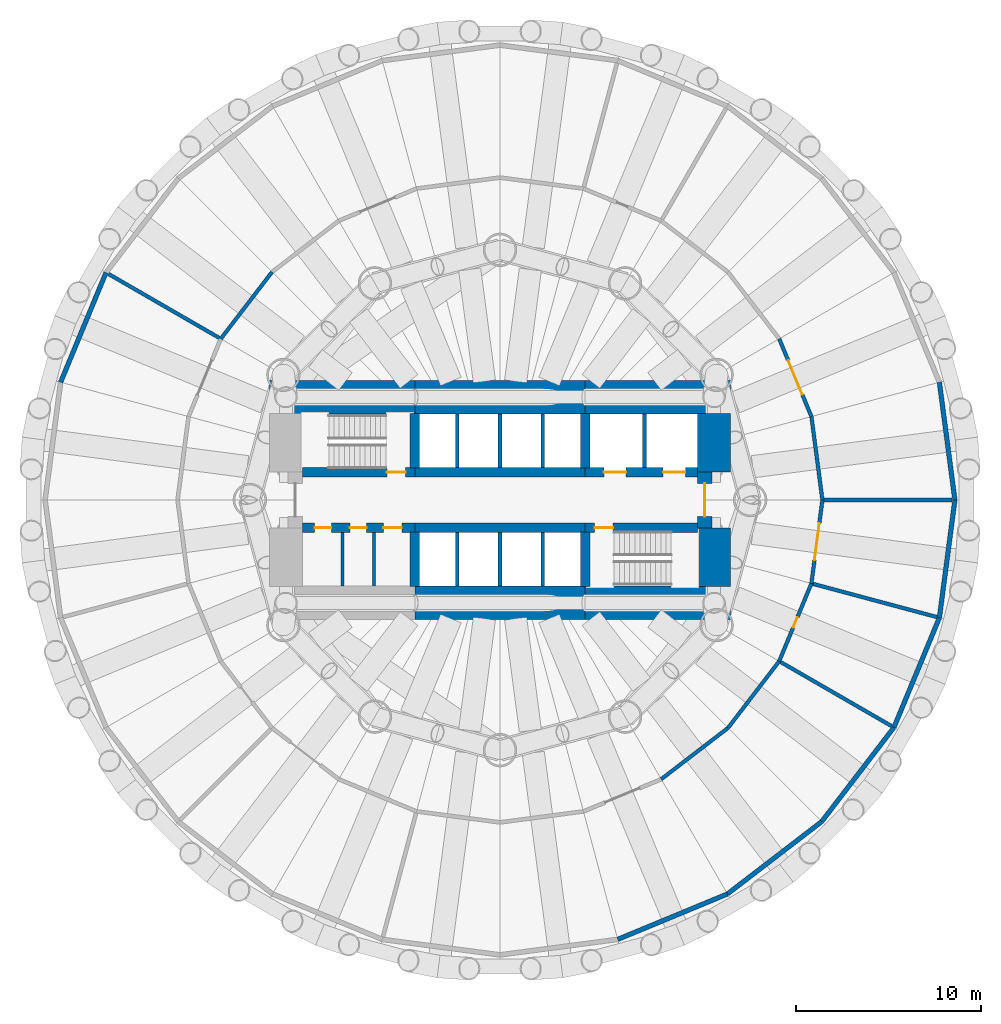
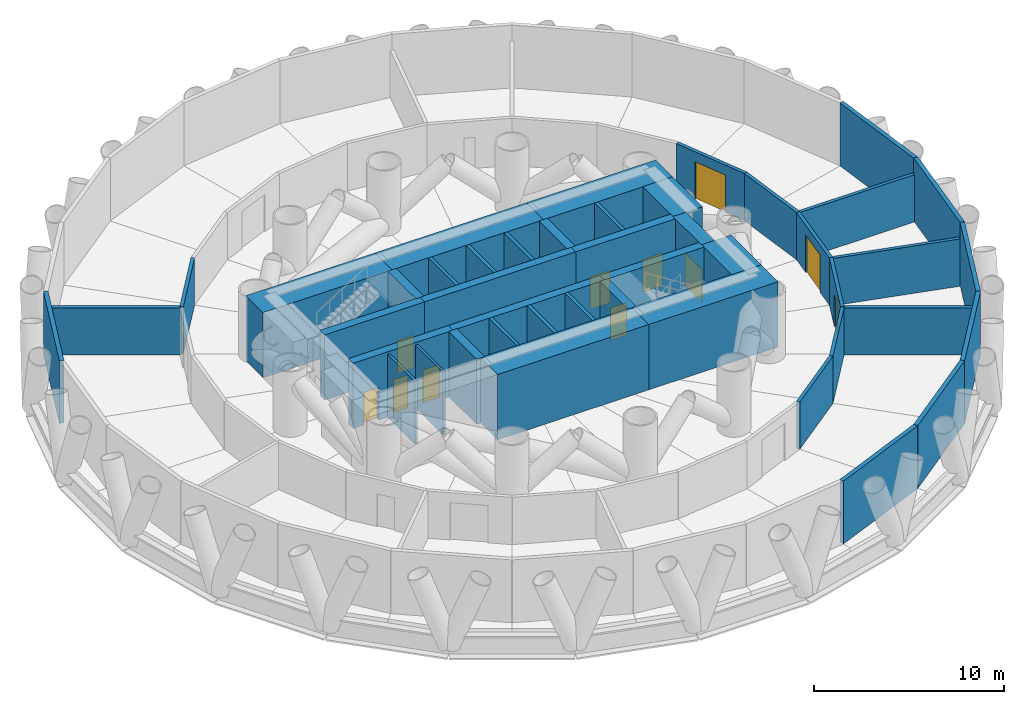
# One storey, part 5 of 7: 45 walls, 11 doors, 11 openings.
"""IFC4 building model written with IfcOpenShell, lengths in metres."""

import ifcopenshell
import ifcopenshell.guid

model = None  # the IFC model being written
_history = None  # IfcOwnerHistory: only IFC2X3 demands one
_inside = {}  # id of a spatial element -> (the spatial element, [elements in it])
_under = {}  # id of a project, library or spatial element -> (it, [spatial elements below it])
_declared = {}  # id of a project -> (the project, [libraries it declares])
_typed = {}  # id of a type object -> (the type object, [elements of that type])
_made_of = {}  # id of a material, layer set ... -> (it, [elements and type objects made of it])


def new_model(schema):
    """Start an empty IFC model of exactly this schema.

    Asked for "IFC4X3", IfcOpenShell would pick the latest addendum, in which some entities
    have other attributes; the version numbers below select the first issue.
    IFC2X3 requires an IfcOwnerHistory on every rooted entity: one is made here for all.
    """
    global model, _history
    if schema == "IFC4X3":
        model = ifcopenshell.file(schema_version=(4, 3, 0, 0))
    else:
        model = ifcopenshell.file(schema=schema)
    _inside.clear()
    _under.clear()
    _declared.clear()
    _typed.clear()
    _made_of.clear()
    _history = None
    if model.schema == "IFC2X3":
        org = make("IfcOrganization", Name="unknown")
        user = make(
            "IfcPersonAndOrganization",
            ThePerson=make("IfcPerson", FamilyName="unknown"),
            TheOrganization=org,
        )
        app = make(
            "IfcApplication",
            ApplicationDeveloper=org,
            Version="unknown",
            ApplicationFullName="unknown",
            ApplicationIdentifier="unknown",
        )
        _history = make(
            "IfcOwnerHistory",
            OwningUser=user,
            OwningApplication=app,
            ChangeAction="ADDED",
            CreationDate=0,
        )
    return model


def make(cls, **values):
    """One entity of the class cls with the attributes given. An attribute that is None is left unset."""
    return model.create_entity(
        cls, **{name: value for name, value in values.items() if value is not None}
    )


def rooted(cls, **values):
    """An entity with a GlobalId (a new one), such as an element, a storey or a relation."""
    return make(cls, GlobalId=ifcopenshell.guid.new(), OwnerHistory=_history, **values)


def si_unit(unit_type, name, prefix=None):
    """IfcSIUnit, for example si_unit("LENGTHUNIT", "METRE", prefix="MILLI")."""
    return make("IfcSIUnit", UnitType=unit_type, Prefix=prefix, Name=name)


def assignment(units):
    """IfcUnitAssignment: the units of a project."""
    return None if units is None else make("IfcUnitAssignment", Units=units)


def point(xyz):
    """IfcCartesianPoint."""
    return None if xyz is None else make("IfcCartesianPoint", Coordinates=xyz)


def direction(xyz):
    """IfcDirection."""
    return None if xyz is None else make("IfcDirection", DirectionRatios=xyz)


def frame(location, z_axis=None, x_axis=None):
    """IfcAxis2Placement3D, a coordinate frame: its origin and axes. An axis left out is left unset."""
    return make(
        "IfcAxis2Placement3D",
        Location=point(location),
        Axis=direction(z_axis),
        RefDirection=direction(x_axis),
    )


def frame_2d(location, x_axis=None):
    """IfcAxis2Placement2D, a coordinate frame in the plane: its origin and x axis."""
    return make(
        "IfcAxis2Placement2D", Location=point(location), RefDirection=direction(x_axis)
    )


def origin():
    """The frame at (0, 0, 0) with its axes left unset."""
    return frame((0.0, 0.0, 0.0))


def place(relative_to, where):
    """IfcLocalPlacement: puts the frame where relative to a parent placement (None: the world)."""
    return make(
        "IfcLocalPlacement", PlacementRelTo=relative_to, RelativePlacement=where
    )


def context(
    kind, dimensions, precision=None, world=None, true_north=None, identifier=None
):
    """IfcGeometricRepresentationContext, for example the 3D "Model" context."""
    return make(
        "IfcGeometricRepresentationContext",
        ContextIdentifier=identifier,
        ContextType=kind,
        CoordinateSpaceDimension=dimensions,
        Precision=precision,
        WorldCoordinateSystem=world,
        TrueNorth=true_north,
    )


def subcontext(parent, identifier, kind, view, scale=None):
    """IfcGeometricRepresentationSubContext, for example "Body" below "Model"."""
    return make(
        "IfcGeometricRepresentationSubContext",
        ContextIdentifier=identifier,
        ContextType=kind,
        ParentContext=parent,
        TargetScale=scale,
        TargetView=view,
    )


def project(units=None, contexts=None):
    """IfcProject with its units and contexts."""
    return rooted(
        "IfcProject",
        Name="project",
        RepresentationContexts=contexts,
        UnitsInContext=assignment(units),
    )


def spatial(cls, under=None, at=None, **own):
    """A site, building, storey or space (cls), placed at a placement, below another one or the project."""
    s = rooted(cls, ObjectPlacement=at, **own)
    if under is not None:
        _under.setdefault(under.id(), (under, []))[1].append(s)
    return s


def profile(cls, at=None, kind="AREA", **sizes):
    """A parametric profile (cls). Its sizes go by their IFC names, for example OverallWidth=200.0."""
    return make(cls, ProfileType=kind, Position=at, **sizes)


def rectangle(**sizes):
    """IfcRectangleProfileDef."""
    return profile("IfcRectangleProfileDef", **sizes)


def extrude(swept, where, along, depth):
    """IfcExtrudedAreaSolid: the profile swept, set in the frame where, extruded along a direction by depth."""
    return make(
        "IfcExtrudedAreaSolid",
        SweptArea=swept,
        Position=where,
        ExtrudedDirection=direction(along),
        Depth=depth,
    )


def shape(context_of_items, identifier, shape_type, items):
    """IfcShapeRepresentation: the items that make up one representation, for example the "Body"."""
    return make(
        "IfcShapeRepresentation",
        ContextOfItems=context_of_items,
        RepresentationIdentifier=identifier,
        RepresentationType=shape_type,
        Items=items,
    )


def material(Name=None, Category=None):
    """IfcMaterial."""
    return make("IfcMaterial", Name=Name, Category=Category)


def layer(
    of_material, thickness, ventilated=None, Name=None, Category=None, Priority=None
):
    """IfcMaterialLayer: one layer of a wall or slab, of a material (None: an air gap)."""
    return make(
        "IfcMaterialLayer",
        Material=of_material,
        LayerThickness=thickness,
        IsVentilated=ventilated,
        Name=Name,
        Category=Category,
        Priority=Priority,
    )


def layer_set(layers, Name=None):
    """IfcMaterialLayerSet."""
    return make("IfcMaterialLayerSet", MaterialLayers=layers, LayerSetName=Name)


def made_of(thing, what):
    """Note that an element or type object is made of a material, layer set ...; save() writes the relation."""
    if what is not None:
        _made_of.setdefault(what.id(), (what, []))[1].append(thing)
    return thing


def type_object(cls, material=None, **own):
    """A type object (cls), such as IfcWallType, which elements share."""
    return made_of(rooted(cls, **own), material)


def element(
    cls,
    number,
    at=None,
    inside=None,
    cuts=None,
    type_object=None,
    material=None,
    context=None,
    identifier="Body",
    shape_type=None,
    held_by="IfcProductDefinitionShape",
    body=None,
    shapes=None,
    **own,
):
    """One element of the class cls, such as IfcWall. Its Tag is "e" and its number.

    at: its placement. inside: the storey or other place that contains it. cuts: it is an
    opening in that element (IfcRelVoidsElement). A single representation is given by context,
    identifier, shape_type and body (its items); several are given by shapes. held_by: the class
    of the entity that holds the representations. save() writes the other relations.
    """
    e = rooted(cls, Tag="e%d" % number, ObjectPlacement=at, **own)
    if body is not None:
        shapes = [shape(context, identifier, shape_type, body)]
    if shapes is not None:
        e.Representation = make(held_by, Representations=shapes)
    if inside is not None:
        _inside.setdefault(inside.id(), (inside, []))[1].append(e)
    if cuts is not None:
        rooted(
            "IfcRelVoidsElement", RelatingBuildingElement=cuts, RelatedOpeningElement=e
        )
    if type_object is not None:
        _typed.setdefault(type_object.id(), (type_object, []))[1].append(e)
    return made_of(e, material)


def fill(opening, filler):
    """IfcRelFillsElement: the door or window that sits in an opening."""
    return rooted(
        "IfcRelFillsElement",
        RelatingOpeningElement=opening,
        RelatedBuildingElement=filler,
    )


def aggregate(whole, parts):
    """IfcRelAggregates: a whole, such as a stair, and the parts it consists of."""
    return rooted("IfcRelAggregates", RelatingObject=whole, RelatedObjects=parts)


def save(model, path):
    """Write the relations noted so far, then the file.

    IfcRelAggregates (storeys below a building ...), IfcRelContainedInSpatialStructure (elements
    in a storey), IfcRelDefinesByType, IfcRelAssociatesMaterial and IfcRelDeclares: one each for
    every whole, place, type object, material and project.
    """
    for whole, parts in _under.values():
        aggregate(whole, parts)
    for where, things in _inside.values():
        rooted(
            "IfcRelContainedInSpatialStructure",
            RelatedElements=things,
            RelatingStructure=where,
        )
    for kind, things in _typed.values():
        rooted("IfcRelDefinesByType", RelatedObjects=things, RelatingType=kind)
    for what, things in _made_of.values():
        rooted("IfcRelAssociatesMaterial", RelatedObjects=things, RelatingMaterial=what)
    for by, libraries in _declared.values():
        rooted("IfcRelDeclares", RelatingContext=by, RelatedDefinitions=libraries)
    model.write(path)


model = new_model("IFC4")

# Units and contexts
model_context = context("Model", 3, precision=1e-05, world=origin(), true_north=direction((0.0, 1.0)))
body_context = subcontext(model_context, "Body", "Model", "MODEL_VIEW")
ifc_project = project(units=[si_unit("LENGTHUNIT", "METRE"), si_unit("AREAUNIT", "SQUARE_METRE"), si_unit("VOLUMEUNIT", "CUBIC_METRE"), si_unit("PLANEANGLEUNIT", "RADIAN"), si_unit("MASSUNIT", "GRAM", prefix="KILO")], contexts=[model_context])

# Site, building, storey
site_placement = place(None, origin())
site = spatial("IfcSite", under=ifc_project, at=site_placement, CompositionType="ELEMENT")
building_placement = place(site_placement, origin())
building = spatial("IfcBuilding", under=site, at=building_placement, Name="Qaws Media Tower", CompositionType="ELEMENT")
storey_placement = place(building_placement, frame((0.0, 0.0, 101.60009765625)))
storey = spatial("IfcBuildingStorey", under=building, at=storey_placement, Name="L22", CompositionType="ELEMENT", Elevation=101.60009765625)

# Wall, opening, door
ifc_material_1 = material(Name="Concrete C60/75", Category="concrete")
ifc_layer_1 = layer(ifc_material_1, 0.5)
ifc_layer_set_1 = layer_set([ifc_layer_1], Name="Core inner wall 500")
wall_type_1 = type_object("IfcWallType", Name="Core inner wall 500", PredefinedType="SHEAR", material=ifc_layer_set_1)
wall_1_placement = place(storey_placement, frame((49.330078125, 51.5, 0.0), z_axis=(0.0, 0.0, 1.0), x_axis=(1.0, 0.0, 0.0)))
wall_1 = element("IfcWall", 1, at=wall_1_placement, inside=storey, type_object=wall_type_1, Name="W339 SW12 core wall SPNW L22", PredefinedType="SHEAR", context=body_context, shape_type="SweptSolid", body=[
    extrude(rectangle(XDim=6.06982421875, YDim=0.5, at=frame_2d((3.034912109375, 0.0))), origin(), (0.0, 0.0, 1.0), 4.199951171875),
])
opening_1_placement = place(wall_1_placement, frame((4.570068359375, 0.0, 0.0)))
opening_1 = element("IfcOpeningElement", 2, at=opening_1_placement, cuts=wall_1, Name="Opening D1", PredefinedType="OPENING", context=body_context, shape_type="SweptSolid", body=[
    extrude(rectangle(XDim=1.0, YDim=2.10009765625, at=frame_2d((0.5, 1.050048828125))), frame((0.0, 0.260009765625, 0.0), z_axis=(0.0, -1.0, 0.0), x_axis=(1.0, 0.0, 0.0)), (0.0, 0.0, 1.0), 0.52001953125),
])
ifc_material_2 = material(Name="Steel, fire rated", Category="steel")
door_type_1 = type_object("IfcDoorType", Name="Stair door 1000 FD120", OperationType="SINGLE_SWING_LEFT", PredefinedType="DOOR", material=ifc_material_2)
door_1_placement = place(opening_1_placement, origin())
door_1 = element("IfcDoor", 3, at=door_1_placement, inside=storey, type_object=door_type_1, Name="D1 stair S1 door L22 in wall W339", OperationType="SINGLE_SWING_LEFT", OverallHeight=2.10009765625, OverallWidth=1.0, PredefinedType="DOOR", context=body_context, shape_type="SweptSolid", body=[
    extrude(rectangle(XDim=1.0, YDim=2.10009765625, at=frame_2d((0.5, 1.050048828125))), frame((0.0, 0.02490234375, 0.0), z_axis=(0.0, -1.0, 0.0), x_axis=(1.0, 0.0, 0.0)), (0.0, 0.0, 1.0), 0.050048828125),
])
fill(opening_1, door_1)

# Wall
wall_2_placement = place(storey_placement, frame((55.39990234375, 51.5, 0.0), z_axis=(0.0, 0.0, 1.0), x_axis=(1.0, 0.0, 0.0)))
element("IfcWall", 4, at=wall_2_placement, inside=storey, type_object=wall_type_1, Name="W332 SW12 core wall SPN L22", PredefinedType="SHEAR", context=body_context, shape_type="SweptSolid", body=[
    extrude(rectangle(XDim=9.2001953125, YDim=0.5, at=frame_2d((4.60009765625, 0.0))), origin(), (0.0, 0.0, 1.0), 4.199951171875),
])

# Wall, openings, doors
wall_3_placement = place(storey_placement, frame((64.60009765625, 51.5, 0.0), z_axis=(0.0, 0.0, 1.0), x_axis=(1.0, 0.0, 0.0)))
wall_3 = element("IfcWall", 5, at=wall_3_placement, inside=storey, type_object=wall_type_1, Name="W344 SW12 core wall SPNE L22", PredefinedType="SHEAR", context=body_context, shape_type="SweptSolid", body=[
    extrude(rectangle(XDim=6.06982421875, YDim=0.5, at=frame_2d((3.034912109375, 0.0))), origin(), (0.0, 0.0, 1.0), 4.199951171875),
])
opening_2_placement = place(wall_3_placement, frame((1.0, 0.0, 0.0)))
opening_2 = element("IfcOpeningElement", 6, at=opening_2_placement, cuts=wall_3, Name="Opening LD2", PredefinedType="OPENING", context=body_context, shape_type="SweptSolid", body=[
    extrude(rectangle(XDim=1.199951171875, YDim=2.10009765625, at=frame_2d((0.60009765625, 1.050048828125))), frame((0.0, 0.260009765625, 0.0), z_axis=(0.0, -1.0, 0.0), x_axis=(1.0, 0.0, 0.0)), (0.0, 0.0, 1.0), 0.52001953125),
])
opening_3_placement = place(wall_3_placement, frame((4.199951171875, 0.0, 0.0)))
opening_3 = element("IfcOpeningElement", 7, at=opening_3_placement, cuts=wall_3, Name="Opening LD2", PredefinedType="OPENING", context=body_context, shape_type="SweptSolid", body=[
    extrude(rectangle(XDim=1.199951171875, YDim=2.10009765625, at=frame_2d((0.60009765625, 1.050048828125))), frame((0.0, 0.260009765625, 0.0), z_axis=(0.0, -1.0, 0.0), x_axis=(1.0, 0.0, 0.0)), (0.0, 0.0, 1.0), 0.52001953125),
])
ifc_material_3 = material(Name="Steel, fire rated", Category="steel")
door_type_2 = type_object("IfcDoorType", Name="Lift landing door 1200", OperationType="SLIDING_TO_LEFT", PredefinedType="DOOR", material=ifc_material_3)
door_2_placement = place(opening_2_placement, origin())
door_2 = element("IfcDoor", 8, at=door_2_placement, inside=storey, type_object=door_type_2, Name="FL1 landing door L22 in wall W344", OperationType="SLIDING_TO_LEFT", OverallHeight=2.10009765625, OverallWidth=1.199951171875, PredefinedType="DOOR", context=body_context, shape_type="SweptSolid", body=[
    extrude(rectangle(XDim=1.199951171875, YDim=2.10009765625, at=frame_2d((0.60009765625, 1.050048828125))), frame((0.0, 0.02490234375, 0.0), z_axis=(0.0, -1.0, 0.0), x_axis=(1.0, 0.0, 0.0)), (0.0, 0.0, 1.0), 0.050048828125),
])
fill(opening_2, door_2)
door_3_placement = place(opening_3_placement, origin())
door_3 = element("IfcDoor", 9, at=door_3_placement, inside=storey, type_object=door_type_2, Name="FL2 landing door L22 in wall W344", OperationType="SLIDING_TO_LEFT", OverallHeight=2.10009765625, OverallWidth=1.199951171875, PredefinedType="DOOR", context=body_context, shape_type="SweptSolid", body=[
    extrude(rectangle(XDim=1.199951171875, YDim=2.10009765625, at=frame_2d((0.60009765625, 1.050048828125))), frame((0.0, 0.02490234375, 0.0), z_axis=(0.0, -1.0, 0.0), x_axis=(1.0, 0.0, 0.0)), (0.0, 0.0, 1.0), 0.050048828125),
])
fill(opening_3, door_3)

wall_4_placement = place(storey_placement, frame((49.330078125, 48.5, 0.0), z_axis=(0.0, 0.0, 1.0), x_axis=(1.0, 0.0, 0.0)))
wall_4 = element("IfcWall", 10, at=wall_4_placement, inside=storey, type_object=wall_type_1, Name="W338 SW12 core wall SPSW L22", PredefinedType="SHEAR", context=body_context, shape_type="SweptSolid", body=[
    extrude(rectangle(XDim=6.06982421875, YDim=0.5, at=frame_2d((3.034912109375, 0.0))), origin(), (0.0, 0.0, 1.0), 4.199951171875),
])
opening_4_placement = place(wall_4_placement, frame((0.669921875, 0.0, 0.0)))
opening_4 = element("IfcOpeningElement", 11, at=opening_4_placement, cuts=wall_4, Name="Opening D3", PredefinedType="OPENING", context=body_context, shape_type="SweptSolid", body=[
    extrude(rectangle(XDim=0.89990234375, YDim=2.10009765625, at=frame_2d((0.449951171875, 1.050048828125))), frame((0.0, 0.260009765625, 0.0), z_axis=(0.0, -1.0, 0.0), x_axis=(1.0, 0.0, 0.0)), (0.0, 0.0, 1.0), 0.52001953125),
])
opening_5_placement = place(wall_4_placement, frame((2.570068359375, 0.0, 0.0)))
opening_5 = element("IfcOpeningElement", 12, at=opening_5_placement, cuts=wall_4, Name="Opening D3", PredefinedType="OPENING", context=body_context, shape_type="SweptSolid", body=[
    extrude(rectangle(XDim=0.89990234375, YDim=2.10009765625, at=frame_2d((0.449951171875, 1.050048828125))), frame((0.0, 0.260009765625, 0.0), z_axis=(0.0, -1.0, 0.0), x_axis=(1.0, 0.0, 0.0)), (0.0, 0.0, 1.0), 0.52001953125),
])
opening_6_placement = place(wall_4_placement, frame((4.3701171875, 0.0, 0.0)))
opening_6 = element("IfcOpeningElement", 13, at=opening_6_placement, cuts=wall_4, Name="Opening D4", PredefinedType="OPENING", context=body_context, shape_type="SweptSolid", body=[
    extrude(rectangle(XDim=1.0, YDim=2.10009765625, at=frame_2d((0.5, 1.050048828125))), frame((0.0, 0.260009765625, 0.0), z_axis=(0.0, -1.0, 0.0), x_axis=(1.0, 0.0, 0.0)), (0.0, 0.0, 1.0), 0.52001953125),
])
ifc_material_4 = material(Name="Timber veneered", Category="wood")
door_type_3 = type_object("IfcDoorType", Name="Accessible WC door 1000", OperationType="SLIDING_TO_LEFT", PredefinedType="DOOR", material=ifc_material_4)
door_4_placement = place(opening_6_placement, origin())
door_4 = element("IfcDoor", 14, at=door_4_placement, inside=storey, type_object=door_type_3, Name="D4 toilet door 3 L22 in wall W338", OperationType="SLIDING_TO_LEFT", OverallHeight=2.10009765625, OverallWidth=1.0, PredefinedType="DOOR", context=body_context, shape_type="SweptSolid", body=[
    extrude(rectangle(XDim=1.0, YDim=2.10009765625, at=frame_2d((0.5, 1.050048828125))), frame((0.0, 0.02490234375, 0.0), z_axis=(0.0, -1.0, 0.0), x_axis=(1.0, 0.0, 0.0)), (0.0, 0.0, 1.0), 0.050048828125),
])
fill(opening_6, door_4)
ifc_material_5 = material(Name="Timber veneered", Category="wood")
door_type_4 = type_object("IfcDoorType", Name="Toilet door 900", OperationType="SINGLE_SWING_RIGHT", PredefinedType="DOOR", material=ifc_material_5)
door_5_placement = place(opening_4_placement, origin())
door_5 = element("IfcDoor", 15, at=door_5_placement, inside=storey, type_object=door_type_4, Name="D3 toilet door 1 L22 in wall W338", OperationType="SINGLE_SWING_RIGHT", OverallHeight=2.10009765625, OverallWidth=0.89990234375, PredefinedType="DOOR", context=body_context, shape_type="SweptSolid", body=[
    extrude(rectangle(XDim=0.89990234375, YDim=2.10009765625, at=frame_2d((0.449951171875, 1.050048828125))), frame((0.0, 0.02490234375, 0.0), z_axis=(0.0, -1.0, 0.0), x_axis=(1.0, 0.0, 0.0)), (0.0, 0.0, 1.0), 0.050048828125),
])
fill(opening_4, door_5)
door_6_placement = place(opening_5_placement, origin())
door_6 = element("IfcDoor", 16, at=door_6_placement, inside=storey, type_object=door_type_4, Name="D3 toilet door 2 L22 in wall W338", OperationType="SINGLE_SWING_RIGHT", OverallHeight=2.10009765625, OverallWidth=0.89990234375, PredefinedType="DOOR", context=body_context, shape_type="SweptSolid", body=[
    extrude(rectangle(XDim=0.89990234375, YDim=2.10009765625, at=frame_2d((0.449951171875, 1.050048828125))), frame((0.0, 0.02490234375, 0.0), z_axis=(0.0, -1.0, 0.0), x_axis=(1.0, 0.0, 0.0)), (0.0, 0.0, 1.0), 0.050048828125),
])
fill(opening_5, door_6)

# Wall
wall_5_placement = place(storey_placement, frame((55.39990234375, 48.5, 0.0), z_axis=(0.0, 0.0, 1.0), x_axis=(1.0, 0.0, 0.0)))
element("IfcWall", 17, at=wall_5_placement, inside=storey, type_object=wall_type_1, Name="W331 SW12 core wall SPS L22", PredefinedType="SHEAR", context=body_context, shape_type="SweptSolid", body=[
    extrude(rectangle(XDim=9.2001953125, YDim=0.5, at=frame_2d((4.60009765625, 0.0))), origin(), (0.0, 0.0, 1.0), 4.199951171875),
])

# Wall, opening, door
wall_6_placement = place(storey_placement, frame((64.60009765625, 48.5, 0.0), z_axis=(0.0, 0.0, 1.0), x_axis=(1.0, 0.0, 0.0)))
wall_6 = element("IfcWall", 18, at=wall_6_placement, inside=storey, type_object=wall_type_1, Name="W343 SW12 core wall SPSE L22", PredefinedType="SHEAR", context=body_context, shape_type="SweptSolid", body=[
    extrude(rectangle(XDim=6.06982421875, YDim=0.5, at=frame_2d((3.034912109375, 0.0))), origin(), (0.0, 0.0, 1.0), 4.199951171875),
])
opening_7_placement = place(wall_6_placement, frame((0.5, 0.0, 0.0)))
opening_7 = element("IfcOpeningElement", 19, at=opening_7_placement, cuts=wall_6, Name="Opening D1", PredefinedType="OPENING", context=body_context, shape_type="SweptSolid", body=[
    extrude(rectangle(XDim=1.0, YDim=2.10009765625, at=frame_2d((0.5, 1.050048828125))), frame((0.0, 0.260009765625, 0.0), z_axis=(0.0, -1.0, 0.0), x_axis=(1.0, 0.0, 0.0)), (0.0, 0.0, 1.0), 0.52001953125),
])
door_7_placement = place(opening_7_placement, origin())
door_7 = element("IfcDoor", 20, at=door_7_placement, inside=storey, type_object=door_type_1, Name="D1 stair S2 door L22 in wall W343", OperationType="SINGLE_SWING_LEFT", OverallHeight=2.10009765625, OverallWidth=1.0, PredefinedType="DOOR", context=body_context, shape_type="SweptSolid", body=[
    extrude(rectangle(XDim=1.0, YDim=2.10009765625, at=frame_2d((0.5, 1.050048828125))), frame((0.0, 0.02490234375, 0.0), z_axis=(0.0, -1.0, 0.0), x_axis=(1.0, 0.0, 0.0)), (0.0, 0.0, 1.0), 0.050048828125),
])
fill(opening_7, door_7)

# Walls
for number, where, z_axis, x_axis, name in (
    (21, (55.39990234375, 51.72998046875, 0.0), (0.0, 0.0, 1.0), (0.0, 1.0, 0.0), "W341 SW12 core wall XNW L22"),
    (22, (64.60009765625, 51.72998046875, 0.0), (0.0, 0.0, 1.0), (0.0, 1.0, 0.0), "W345 SW12 core wall XNE L22"),
    (23, (55.39990234375, 48.27001953125, 0.0), (0.0, 0.0, 1.0), (0.0, -1.0, 0.0), "W340 SW12 core wall XSW L22"),
    (24, (64.60009765625, 48.27001953125, 0.0), (0.0, 0.0, 1.0), (0.0, -1.0, 0.0), "W342 SW12 core wall XSE L22"),
):
    element("IfcWall", number, at=place(storey_placement, frame(where, z_axis=z_axis, x_axis=x_axis)), inside=storey, type_object=wall_type_1, Name=name, PredefinedType="SHEAR", context=body_context, shape_type="SweptSolid", body=[
        extrude(rectangle(XDim=2.93994140625, YDim=0.5, at=frame_2d((1.469970703125, 0.0))), origin(), (0.0, 0.0, 1.0), 4.199951171875),
    ])
ifc_material_6 = material(Name="Concrete C60/75", Category="concrete")
ifc_layer_2 = layer(ifc_material_6, 1.800048828125)
ifc_layer_set_2 = layer_set([ifc_layer_2], Name="Core wall 1800")
wall_type_2 = type_object("IfcWallType", Name="Core wall 1800", PredefinedType="SHEAR", material=ifc_layer_set_2)
wall_7_placement = place(storey_placement, frame((47.550048828125, 55.550048828125, 0.0), z_axis=(0.0, 0.0, 1.0), x_axis=(1.0, 0.0, 0.0)))
element("IfcWall", 25, at=wall_7_placement, inside=storey, type_object=wall_type_2, Name="W417 SW11 core wall NW L22", PredefinedType="SHEAR", context=body_context, shape_type="SweptSolid", body=[
    extrude(rectangle(XDim=7.849853515625, YDim=1.800048828125, at=frame_2d((3.9248046875, 0.0))), origin(), (0.0, 0.0, 1.0), 4.199951171875),
])
wall_8_placement = place(storey_placement, frame((55.39990234375, 55.550048828125, 0.0), z_axis=(0.0, 0.0, 1.0), x_axis=(1.0, 0.0, 0.0)))
element("IfcWall", 26, at=wall_8_placement, inside=storey, type_object=wall_type_2, Name="W421 SW11 core wall N L22", PredefinedType="SHEAR", context=body_context, shape_type="SweptSolid", body=[
    extrude(rectangle(XDim=9.2001953125, YDim=1.800048828125, at=frame_2d((4.60009765625, 0.0))), origin(), (0.0, 0.0, 1.0), 4.199951171875),
])
wall_9_placement = place(storey_placement, frame((64.60009765625, 55.550048828125, 0.0), z_axis=(0.0, 0.0, 1.0), x_axis=(1.0, 0.0, 0.0)))
element("IfcWall", 27, at=wall_9_placement, inside=storey, type_object=wall_type_2, Name="W423 SW11 core wall NE L22", PredefinedType="SHEAR", context=body_context, shape_type="SweptSolid", body=[
    extrude(rectangle(XDim=7.849853515625, YDim=1.800048828125, at=frame_2d((3.9248046875, 0.0))), origin(), (0.0, 0.0, 1.0), 4.199951171875),
])
wall_10_placement = place(storey_placement, frame((55.39990234375, 44.449951171875, 0.0), z_axis=(0.0, 0.0, 1.0), x_axis=(1.0, 0.0, 0.0)))
element("IfcWall", 28, at=wall_10_placement, inside=storey, type_object=wall_type_2, Name="W420 SW11 core wall S L22", PredefinedType="SHEAR", context=body_context, shape_type="SweptSolid", body=[
    extrude(rectangle(XDim=9.2001953125, YDim=1.800048828125, at=frame_2d((4.60009765625, 0.0))), origin(), (0.0, 0.0, 1.0), 4.199951171875),
])
wall_11_placement = place(storey_placement, frame((64.60009765625, 44.449951171875, 0.0), z_axis=(0.0, 0.0, 1.0), x_axis=(1.0, 0.0, 0.0)))
element("IfcWall", 29, at=wall_11_placement, inside=storey, type_object=wall_type_2, Name="W422 SW11 core wall SE L22", PredefinedType="SHEAR", context=body_context, shape_type="SweptSolid", body=[
    extrude(rectangle(XDim=7.849853515625, YDim=1.800048828125, at=frame_2d((3.9248046875, 0.0))), origin(), (0.0, 0.0, 1.0), 4.199951171875),
])
for number, where, z_axis, x_axis, name in (
    (30, (71.550048828125, 45.330078125, 0.0), (0.0, 0.0, 1.0), (0.0, 1.0, 0.0), "W424 SW11 core wall ES L22"),
    (31, (71.550048828125, 51.5, 0.0), (0.0, 0.0, 1.0), (0.0, 1.0, 0.0), "W425 SW11 core wall EN L22"),
):
    element("IfcWall", number, at=place(storey_placement, frame(where, z_axis=z_axis, x_axis=x_axis)), inside=storey, type_object=wall_type_2, Name=name, PredefinedType="SHEAR", context=body_context, shape_type="SweptSolid", body=[
        extrude(rectangle(XDim=3.169921875, YDim=1.800048828125, at=frame_2d((1.5849609375, 0.0))), origin(), (0.0, 0.0, 1.0), 4.199951171875),
    ])

# Wall, opening, door
ifc_material_7 = material(Name="Concrete C60/75", Category="concrete")
ifc_layer_3 = layer(ifc_material_7, 0.800048828125)
ifc_layer_set_3 = layer_set([ifc_layer_3], Name="Core wall 800")
wall_type_3 = type_object("IfcWallType", Name="Core wall 800", PredefinedType="SHEAR", material=ifc_layer_set_3)
wall_12_placement = place(storey_placement, frame((71.050048828125, 48.5, 0.0), z_axis=(0.0, 0.0, 1.0), x_axis=(0.0, 1.0, 0.0)))
wall_12 = element("IfcWall", 32, at=wall_12_placement, inside=storey, type_object=wall_type_3, Name="W439 SW1 core wall E L22", PredefinedType="SHEAR", context=body_context, shape_type="SweptSolid", body=[
    extrude(rectangle(XDim=3.0, YDim=0.800048828125, at=frame_2d((1.5, 0.0))), origin(), (0.0, 0.0, 1.0), 4.199951171875),
])
opening_8_placement = place(wall_12_placement, frame((0.60009765625, 0.0, 0.0)))
opening_8 = element("IfcOpeningElement", 33, at=opening_8_placement, cuts=wall_12, Name="Opening D2", PredefinedType="OPENING", context=body_context, shape_type="SweptSolid", body=[
    extrude(rectangle(XDim=1.800048828125, YDim=2.10009765625, at=frame_2d((0.89990234375, 1.050048828125))), frame((0.0, 0.409912109375, 0.0), z_axis=(0.0, -1.0, 0.0), x_axis=(1.0, 0.0, 0.0)), (0.0, 0.0, 1.0), 0.820068359375),
])
ifc_material_8 = material(Name="Steel and glass, fire rated", Category="steel")
door_type_5 = type_object("IfcDoorType", Name="Lobby door pair 1800 FD60", OperationType="DOUBLE_DOOR_DOUBLE_SWING", PredefinedType="DOOR", material=ifc_material_8)
door_8_placement = place(opening_8_placement, origin())
door_8 = element("IfcDoor", 34, at=door_8_placement, inside=storey, type_object=door_type_5, Name="D2 core lobby door E L22 in wall W439", OperationType="DOUBLE_DOOR_DOUBLE_SWING", OverallHeight=2.10009765625, OverallWidth=1.800048828125, PredefinedType="DOOR", context=body_context, shape_type="SweptSolid", body=[
    extrude(rectangle(XDim=1.800048828125, YDim=2.10009765625, at=frame_2d((0.89990234375, 1.050048828125))), frame((0.0, 0.02490234375, 0.0), z_axis=(0.0, -1.0, 0.0), x_axis=(1.0, 0.0, 0.0)), (0.0, 0.0, 1.0), 0.050048828125),
])
fill(opening_8, door_8)

# Walls
ifc_material_9 = material(Name="Precast concrete louvre panels", Category="concrete")
ifc_layer_4 = layer(ifc_material_9, 0.25)
ifc_layer_set_4 = layer_set([ifc_layer_4], Name="Crown louvre wall 250")
wall_type_4 = type_object("IfcWallType", Name="Crown louvre wall 250", PredefinedType="SOLIDWALL", material=ifc_layer_set_4)
wall_13_placement = place(storey_placement, frame((84.550048828125, 50.0, 0.0), z_axis=(0.0, 0.0, 1.0), x_axis=(-0.130549112351, 0.991441843612, 0.0)))
element("IfcWall", 35, at=wall_13_placement, inside=storey, type_object=wall_type_4, Name="W465 EW3 louvre wall L22-01", PredefinedType="SOLIDWALL", context=body_context, shape_type="SweptSolid", body=[
    extrude(rectangle(XDim=6.408935546875, YDim=0.25, at=frame_2d((3.20458984375, 0.0))), origin(), (0.0, 0.0, 1.0), 4.039794921875),
])
for number, where, z_axis, x_axis, name in (
    (36, (38.739013671875, 62.27490234375, 0.0), (0.0, 0.0, 1.0), (-0.382666936286, -0.923886365238, 0.0), "W446 EW3 louvre wall L22-11"),
    (37, (66.35400390625, 26.28662109375, 0.0), (0.0, 0.0, 1.0), (0.923886365238, 0.382666936286, 0.0), "W455 EW3 louvre wall L22-20"),
):
    element("IfcWall", number, at=place(storey_placement, frame(where, z_axis=z_axis, x_axis=x_axis)), inside=storey, type_object=wall_type_4, Name=name, PredefinedType="SOLIDWALL", context=body_context, shape_type="SweptSolid", body=[
        extrude(rectangle(XDim=6.40869140625, YDim=0.25, at=frame_2d((3.204345703125, 0.0))), origin(), (0.0, 0.0, 1.0), 4.039794921875),
    ])
for number, where, z_axis, x_axis, name in (
    (38, (72.27490234375, 28.739013671875, 0.0), (0.0, 0.0, 1.0), (0.793341415576, 0.608776969285, 0.0), "W457 EW3 louvre wall L22-21"),
    (39, (77.359375, 32.640625, 0.0), (0.0, 0.0, 1.0), (0.608776969285, 0.793341415576, 0.0), "W459 EW3 louvre wall L22-22"),
):
    element("IfcWall", number, at=place(storey_placement, frame(where, z_axis=z_axis, x_axis=x_axis)), inside=storey, type_object=wall_type_4, Name=name, PredefinedType="SOLIDWALL", context=body_context, shape_type="SweptSolid", body=[
        extrude(rectangle(XDim=6.408935546875, YDim=0.25, at=frame_2d((3.20458984375, 0.0))), origin(), (0.0, 0.0, 1.0), 4.039794921875),
    ])
wall_14_placement = place(storey_placement, frame((81.260986328125, 37.72509765625, 0.0), z_axis=(0.0, 0.0, 1.0), x_axis=(0.382666936286, 0.923886365238, 0.0)))
element("IfcWall", 40, at=wall_14_placement, inside=storey, type_object=wall_type_4, Name="W461 EW3 louvre wall L22-23", PredefinedType="SOLIDWALL", context=body_context, shape_type="SweptSolid", body=[
    extrude(rectangle(XDim=6.40869140625, YDim=0.25, at=frame_2d((3.204345703125, 0.0))), origin(), (0.0, 0.0, 1.0), 4.039794921875),
])
wall_15_placement = place(storey_placement, frame((83.71337890625, 43.64599609375, 0.0), z_axis=(0.0, 0.0, 1.0), x_axis=(0.130549112351, 0.991441843612, 0.0)))
element("IfcWall", 41, at=wall_15_placement, inside=storey, type_object=wall_type_4, Name="W463 EW3 louvre wall L22-24", PredefinedType="SOLIDWALL", context=body_context, shape_type="SweptSolid", body=[
    extrude(rectangle(XDim=6.408935546875, YDim=0.25, at=frame_2d((3.20458984375, 0.0))), origin(), (0.0, 0.0, 1.0), 4.039794921875),
])
ifc_material_10 = material(Name="Gypsum board on galvanised metal studs, acoustic double stud, deflection head", Category="gypsum")
ifc_layer_5 = layer(ifc_material_10, 0.199951171875)
ifc_layer_set_5 = layer_set([ifc_layer_5], Name="Room partition 200")
wall_type_5 = type_object("IfcWallType", Name="Room partition 200", PredefinedType="PARTITIONING", material=ifc_layer_set_5)
wall_16_placement = place(storey_placement, frame((44.93115234375, 58.699951171875, 0.0), z_axis=(0.0, 0.0, 1.0), x_axis=(0.608744051842, 0.793366673958, 0.0)))
element("IfcWall", 42, at=wall_16_placement, inside=storey, type_object=wall_type_5, Name="W1174 IW3 partition L22", PredefinedType="PARTITIONING", context=body_context, shape_type="SweptSolid", body=[
    extrude(rectangle(XDim=4.54248046875, YDim=0.199951171875, at=frame_2d((2.271240234375, 0.0))), origin(), (0.0, 0.0, 1.0), 3.039794921875),
])

# Wall, opening, door
wall_17_placement = place(storey_placement, frame((75.06884765625, 58.699951171875, 0.0), z_axis=(0.0, 0.0, 1.0), x_axis=(0.382687243654, -0.923877953815, 0.0)))
wall_17 = element("IfcWall", 43, at=wall_17_placement, inside=storey, type_object=wall_type_5, Name="W1195 IW3 partition L22", PredefinedType="PARTITIONING", context=body_context, shape_type="SweptSolid", body=[
    extrude(rectangle(XDim=4.542236328125, YDim=0.199951171875, at=frame_2d((2.27099609375, 0.0))), origin(), (0.0, 0.0, 1.0), 3.039794921875),
])
opening_9_placement = place(wall_17_placement, frame((1.271240234375, 0.0, 0.0)))
opening_9 = element("IfcOpeningElement", 44, at=opening_9_placement, cuts=wall_17, Name="Opening D19", PredefinedType="OPENING", context=body_context, shape_type="SweptSolid", body=[
    extrude(rectangle(XDim=2.0, YDim=2.39990234375, at=frame_2d((1.0, 1.199951171875))), frame((0.0, 0.10986328125, 0.0), z_axis=(0.0, -1.0, 0.0), x_axis=(1.0, 0.0, 0.0)), (0.0, 0.0, 1.0), 0.219970703125),
])
ifc_material_11 = material(Name="Steel, fire rated, louvred", Category="steel")
door_type_6 = type_object("IfcDoorType", Name="Plant room door pair 2000x2400", OperationType="DOUBLE_DOOR_DOUBLE_SWING", PredefinedType="DOOR", material=ifc_material_11)
door_9_placement = place(opening_9_placement, origin())
door_9 = element("IfcDoor", 45, at=door_9_placement, inside=storey, type_object=door_type_6, Name="D19 AHU plant room door L22 in wall W1195", OperationType="DOUBLE_DOOR_DOUBLE_SWING", OverallHeight=2.39990234375, OverallWidth=2.0, PredefinedType="DOOR", context=body_context, shape_type="SweptSolid", body=[
    extrude(rectangle(XDim=2.0, YDim=2.39990234375, at=frame_2d((1.0, 1.199951171875))), frame((0.0, 0.02490234375, 0.0), z_axis=(0.0, -1.0, 0.0), x_axis=(1.0, 0.0, 0.0)), (0.0, 0.0, 1.0), 0.050048828125),
])
fill(opening_9, door_9)

# Wall
wall_18_placement = place(storey_placement, frame((76.80712890625, 54.50341796875, 0.0), z_axis=(0.0, 0.0, 1.0), x_axis=(0.130501784914, -0.991448074351, 0.0)))
element("IfcWall", 46, at=wall_18_placement, inside=storey, type_object=wall_type_5, Name="W1198 IW3 partition L22", PredefinedType="PARTITIONING", context=body_context, shape_type="SweptSolid", body=[
    extrude(rectangle(XDim=4.542236328125, YDim=0.199951171875, at=frame_2d((2.27099609375, 0.0))), origin(), (0.0, 0.0, 1.0), 3.039794921875),
])

# Wall, opening, door
wall_19_placement = place(storey_placement, frame((77.39990234375, 50.0, 0.0), z_axis=(0.0, 0.0, 1.0), x_axis=(-0.130501784914, -0.991448074351, 0.0)))
wall_19 = element("IfcWall", 47, at=wall_19_placement, inside=storey, type_object=wall_type_5, Name="W1199 IW3 partition L22", PredefinedType="PARTITIONING", context=body_context, shape_type="SweptSolid", body=[
    extrude(rectangle(XDim=4.542236328125, YDim=0.199951171875, at=frame_2d((2.27099609375, 0.0))), origin(), (0.0, 0.0, 1.0), 3.039794921875),
])
opening_10_placement = place(wall_19_placement, frame((1.271240234375, 0.0, 0.0)))
opening_10 = element("IfcOpeningElement", 48, at=opening_10_placement, cuts=wall_19, Name="Opening D19", PredefinedType="OPENING", context=body_context, shape_type="SweptSolid", body=[
    extrude(rectangle(XDim=2.0, YDim=2.39990234375, at=frame_2d((1.0, 1.199951171875))), frame((0.0, 0.10986328125, 0.0), z_axis=(0.0, -1.0, 0.0), x_axis=(1.0, 0.0, 0.0)), (0.0, 0.0, 1.0), 0.219970703125),
])
door_10_placement = place(opening_10_placement, origin())
door_10 = element("IfcDoor", 49, at=door_10_placement, inside=storey, type_object=door_type_6, Name="D19 AHU plant room door L22 in wall W1199", OperationType="DOUBLE_DOOR_DOUBLE_SWING", OverallHeight=2.39990234375, OverallWidth=2.0, PredefinedType="DOOR", context=body_context, shape_type="SweptSolid", body=[
    extrude(rectangle(XDim=2.0, YDim=2.39990234375, at=frame_2d((1.0, 1.199951171875))), frame((0.0, 0.02490234375, 0.0), z_axis=(0.0, -1.0, 0.0), x_axis=(1.0, 0.0, 0.0)), (0.0, 0.0, 1.0), 0.050048828125),
])
fill(opening_10, door_10)

wall_20_placement = place(storey_placement, frame((76.80712890625, 45.49658203125, 0.0), z_axis=(0.0, 0.0, 1.0), x_axis=(-0.382687243654, -0.923877953815, 0.0)))
wall_20 = element("IfcWall", 50, at=wall_20_placement, inside=storey, type_object=wall_type_5, Name="W1196 IW3 partition L22", PredefinedType="PARTITIONING", context=body_context, shape_type="SweptSolid", body=[
    extrude(rectangle(XDim=4.542236328125, YDim=0.199951171875, at=frame_2d((2.27099609375, 0.0))), origin(), (0.0, 0.0, 1.0), 3.039794921875),
])
opening_11_placement = place(wall_20_placement, frame((1.97119140625, 0.0, 0.0)))
opening_11 = element("IfcOpeningElement", 51, at=opening_11_placement, cuts=wall_20, Name="Opening D24", PredefinedType="OPENING", context=body_context, shape_type="SweptSolid", body=[
    extrude(rectangle(XDim=0.60009765625, YDim=2.0, at=frame_2d((0.300048828125, 1.0))), frame((0.0, 0.10986328125, 0.0), z_axis=(0.0, -1.0, 0.0), x_axis=(1.0, 0.0, 0.0)), (0.0, 0.0, 1.0), 0.219970703125),
])
ifc_material_12 = material(Name="Steel, fire rated, lockable", Category="steel")
door_type_7 = type_object("IfcDoorType", Name="Riser access door 600x2000", OperationType="SINGLE_SWING_LEFT", PredefinedType="DOOR", material=ifc_material_12)
door_11_placement = place(opening_11_placement, origin())
door_11 = element("IfcDoor", 52, at=door_11_placement, inside=storey, type_object=door_type_7, Name="D24 Riser room door L22 in wall W1196", OperationType="SINGLE_SWING_LEFT", OverallHeight=2.0, OverallWidth=0.60009765625, PredefinedType="DOOR", context=body_context, shape_type="SweptSolid", body=[
    extrude(rectangle(XDim=0.60009765625, YDim=2.0, at=frame_2d((0.300048828125, 1.0))), frame((0.0, 0.02490234375, 0.0), z_axis=(0.0, -1.0, 0.0), x_axis=(1.0, 0.0, 0.0)), (0.0, 0.0, 1.0), 0.050048828125),
])
fill(opening_11, door_11)

# Walls
for number, where, z_axis, x_axis, name in (
    (53, (75.06884765625, 41.300048828125, 0.0), (0.0, 0.0, 1.0), (-0.608744051842, -0.793366673958, 0.0), "W1193 IW3 partition L22"),
    (54, (72.3037109375, 37.6962890625, 0.0), (0.0, 0.0, 1.0), (-0.793366673958, -0.608744051842, 0.0), "W1191 IW3 partition L22"),
):
    element("IfcWall", number, at=place(storey_placement, frame(where, z_axis=z_axis, x_axis=x_axis)), inside=storey, type_object=wall_type_5, Name=name, PredefinedType="PARTITIONING", context=body_context, shape_type="SweptSolid", body=[
        extrude(rectangle(XDim=4.54248046875, YDim=0.199951171875, at=frame_2d((2.271240234375, 0.0))), origin(), (0.0, 0.0, 1.0), 3.039794921875),
    ])
for number, where, z_axis, x_axis, name in (
    (55, (77.39990234375, 50.0, 0.0), (0.0, 0.0, 1.0), (1.0, 0.0, 0.0), "W1200 IW3 partition L22"),
    (56, (44.93115234375, 58.699951171875, 0.0), (0.0, 0.0, 1.0), (-0.866034108906, 0.499984921984, 0.0), "W1173 IW3 partition L22"),
    (57, (75.06884765625, 41.300048828125, 0.0), (0.0, 0.0, 1.0), (0.866034108906, -0.499984921984, 0.0), "W1194 IW3 partition L22"),
    (58, (76.80712890625, 45.49658203125, 0.0), (0.0, 0.0, 1.0), (0.965927672281, -0.258812155669, 0.0), "W1197 IW3 partition L22"),
):
    element("IfcWall", number, at=place(storey_placement, frame(where, z_axis=z_axis, x_axis=x_axis)), inside=storey, type_object=wall_type_5, Name=name, PredefinedType="PARTITIONING", context=body_context, shape_type="SweptSolid", body=[
        extrude(rectangle(XDim=7.005126953125, YDim=0.199951171875, at=frame_2d((3.50244140625, 0.0))), origin(), (0.0, 0.0, 1.0), 3.039794921875),
    ])
ifc_material_13 = material(Name="Fire-rated gypsum board shaft wall on galvanised metal studs, deflection head", Category="gypsum")
ifc_layer_6 = layer(ifc_material_13, 0.199951171875)
ifc_layer_set_6 = layer_set([ifc_layer_6], Name="Shaft wall 200")
wall_type_6 = type_object("IfcWallType", Name="Shaft wall 200", PredefinedType="PARTITIONING", material=ifc_layer_set_6)
for number, where, z_axis, x_axis, name in (
    (59, (57.699951171875, 51.75, 0.0), (0.0, 0.0, 1.0), (0.0, 1.0, 0.0), "W1854 IW1 shaft wall N1 L22"),
    (60, (60.0, 51.75, 0.0), (0.0, 0.0, 1.0), (0.0, 1.0, 0.0), "W1856 IW1 shaft wall N2 L22"),
    (61, (62.300048828125, 51.75, 0.0), (0.0, 0.0, 1.0), (0.0, 1.0, 0.0), "W1858 IW1 shaft wall N3 L22"),
    (62, (57.699951171875, 45.35009765625, 0.0), (0.0, 0.0, 1.0), (0.0, 1.0, 0.0), "W1853 IW1 shaft wall S1 L22"),
    (63, (60.0, 45.35009765625, 0.0), (0.0, 0.0, 1.0), (0.0, 1.0, 0.0), "W1855 IW1 shaft wall S2 L22"),
    (64, (62.300048828125, 45.35009765625, 0.0), (0.0, 0.0, 1.0), (0.0, 1.0, 0.0), "W1857 IW1 shaft wall S3 L22"),
    (65, (67.800048828125, 51.75, 0.0), (0.0, 0.0, 1.0), (0.0, 1.0, 0.0), "W1859 IW1 shaft wall FL L22"),
):
    element("IfcWall", number, at=place(storey_placement, frame(where, z_axis=z_axis, x_axis=x_axis)), inside=storey, type_object=wall_type_6, Name=name, PredefinedType="PARTITIONING", context=body_context, shape_type="SweptSolid", body=[
        extrude(rectangle(XDim=2.89990234375, YDim=0.199951171875, at=frame_2d((1.449951171875, 0.0))), origin(), (0.0, 0.0, 1.0), 4.199951171875),
    ])
ifc_material_14 = material(Name="Gypsum board on galvanised metal studs, deflection head", Category="gypsum")
ifc_layer_7 = layer(ifc_material_14, 0.14990234375)
ifc_layer_set_7 = layer_set([ifc_layer_7], Name="WC partition 150")
wall_type_7 = type_object("IfcWallType", Name="WC partition 150", PredefinedType="PARTITIONING", material=ifc_layer_set_7)
for number, where, z_axis, x_axis, name in (
    (66, (51.5, 45.35009765625, 0.0), (0.0, 0.0, 1.0), (0.0, 1.0, 0.0), "W1909 IW2 toilet partition 1 L22"),
    (67, (53.199951171875, 45.35009765625, 0.0), (0.0, 0.0, 1.0), (0.0, 1.0, 0.0), "W1910 IW2 toilet partition 2 L22"),
):
    element("IfcWall", number, at=place(storey_placement, frame(where, z_axis=z_axis, x_axis=x_axis)), inside=storey, type_object=wall_type_7, Name=name, PredefinedType="PARTITIONING", context=body_context, shape_type="SweptSolid", body=[
        extrude(rectangle(XDim=2.89990234375, YDim=0.14990234375, at=frame_2d((1.449951171875, 0.0))), origin(), (0.0, 0.0, 1.0), 4.039794921875),
    ])

save(model, "model.ifc")
